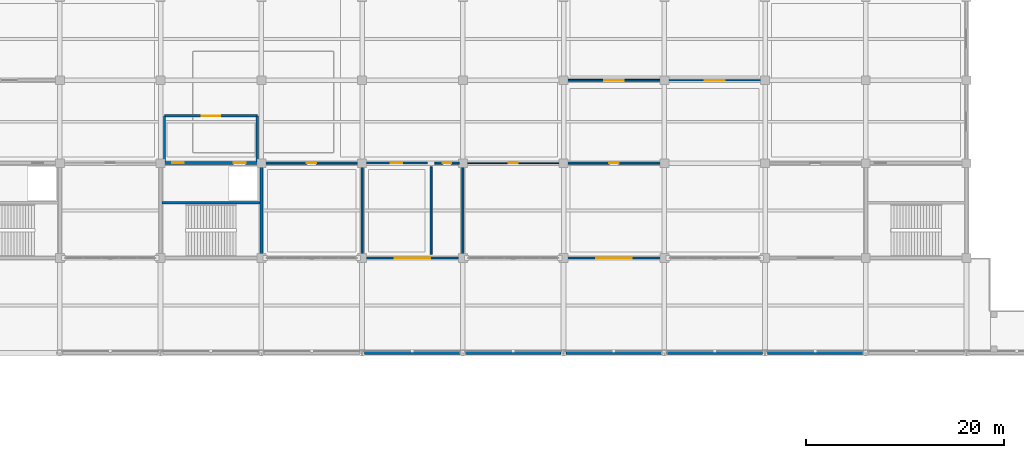
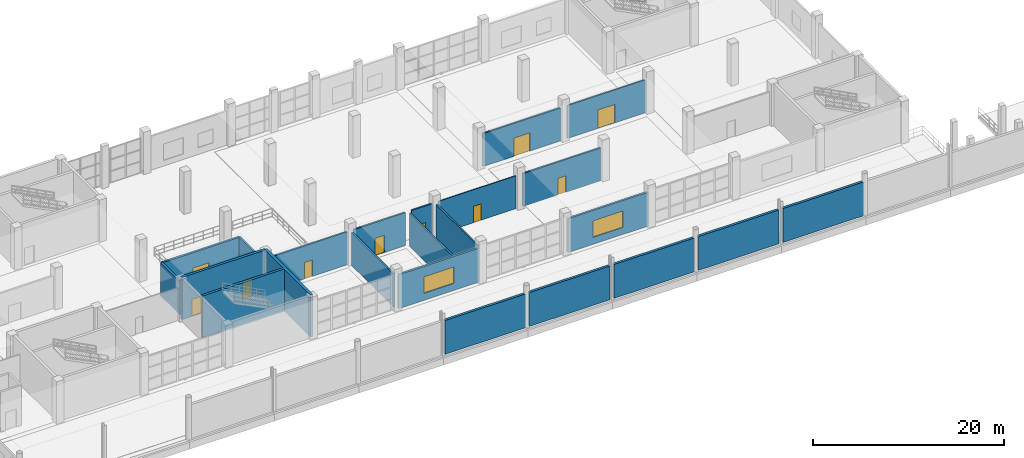
# One storey, part 131 of 175: 23 walls, 10 doors, 2 windows, 12 openings.
"""IFC4 building model written with IfcOpenShell, lengths in metres."""

from ifc_helpers import new_model, si_unit, direction, frame, frame_2d, origin, place, context, subcontext, project, spatial, rectangle, extrude, material, layer, layer_set, type_object, element, fill, save


model = new_model("IFC4")

# Units and contexts
model_context = context("Model", 3, precision=1e-05, world=origin(), true_north=direction((0.0, 1.0)))
body_context = subcontext(model_context, "Body", "Model", "MODEL_VIEW")
ifc_project = project(units=[si_unit("LENGTHUNIT", "METRE"), si_unit("AREAUNIT", "SQUARE_METRE"), si_unit("VOLUMEUNIT", "CUBIC_METRE"), si_unit("PLANEANGLEUNIT", "RADIAN"), si_unit("MASSUNIT", "GRAM", prefix="KILO")], contexts=[model_context])

# Site, building, storey
site_placement = place(None, origin())
site = spatial("IfcSite", under=ifc_project, at=site_placement, CompositionType="ELEMENT")
building_placement = place(site_placement, origin())
building = spatial("IfcBuilding", under=site, at=building_placement, Name="Brelvane Convention Centre", CompositionType="ELEMENT")
storey_placement = place(building_placement, frame((0.0, 0.0, 5.39990234375)))
storey = spatial("IfcBuildingStorey", under=building, at=storey_placement, Name="L01", CompositionType="ELEMENT", Elevation=5.39990234375)

# Wall, opening, window
ifc_material_1 = material(Name="Insulated Autoclaved Aerated Concrete Block Grade 1", Category="concrete")
ifc_layer_1 = layer(ifc_material_1, 0.239990234375)
ifc_layer_set_1 = layer_set([ifc_layer_1], Name="Insulated Autoclaved Aerated Concrete Block Grade 1")
wall_type_1 = type_object("IfcWallType", Name="Exterior Wall EW-03", PredefinedType="STANDARD", material=ifc_layer_set_1)
wall_1_placement = place(storey_placement, frame((51.239990234375, 109.199951171875, 0.0), z_axis=(0.0, 0.0, 1.0), x_axis=(1.0, 0.0, 0.0)))
wall_1 = element("IfcWall", 1, at=wall_1_placement, inside=storey, type_object=wall_type_1, Name="Exterior Wall L01 V4S-06", PredefinedType="STANDARD", context=body_context, shape_type="SweptSolid", body=[
    extrude(rectangle(XDim=9.719970703125, YDim=0.239990234375, at=frame_2d((4.85986328125, 0.0))), origin(), (0.0, 0.0, 1.0), 4.320068359375),
])
opening_1_placement = place(wall_1_placement, frame((3.06005859375, 0.0, 0.89990234375)))
opening_1 = element("IfcOpeningElement", 2, at=opening_1_placement, cuts=wall_1, Name="Opening WN-03", PredefinedType="OPENING", context=body_context, shape_type="SweptSolid", body=[
    extrude(rectangle(XDim=3.60009765625, YDim=2.10009765625, at=frame_2d((1.800048828125, 1.050048828125))), frame((0.0, 0.1298828125, 0.0), z_axis=(0.0, -1.0, 0.0), x_axis=(1.0, 0.0, 0.0)), (0.0, 0.0, 1.0), 0.260009765625),
])
ifc_material_2 = material(Name="Double Glazed Low-E Laminated Unit")
window_type = type_object("IfcWindowType", Name="Window WN-03", PartitioningType="TRIPLE_PANEL_VERTICAL", PredefinedType="WINDOW", material=ifc_material_2)
window_1_placement = place(opening_1_placement, origin())
window_1 = element("IfcWindow", 3, at=window_1_placement, inside=storey, type_object=window_type, Name="Facade Window L01-V4S-06-019", OverallHeight=2.10009765625, OverallWidth=3.60009765625, PartitioningType="TRIPLE_PANEL_VERTICAL", PredefinedType="WINDOW", context=body_context, shape_type="SweptSolid", body=[
    extrude(rectangle(XDim=3.60009765625, YDim=2.10009765625, at=frame_2d((1.800048828125, 1.050048828125))), frame((0.0, 0.030029296875, 0.0), z_axis=(0.0, -1.0, 0.0), x_axis=(1.0, 0.0, 0.0)), (0.0, 0.0, 1.0), 0.06005859375),
])
fill(opening_1, window_1)

wall_2_placement = place(storey_placement, frame((71.639892578125, 109.199951171875, 0.0), z_axis=(0.0, 0.0, 1.0), x_axis=(1.0, 0.0, 0.0)))
wall_2 = element("IfcWall", 4, at=wall_2_placement, inside=storey, type_object=wall_type_1, Name="Exterior Wall L01 V4S-08", PredefinedType="STANDARD", context=body_context, shape_type="SweptSolid", body=[
    extrude(rectangle(XDim=9.72021484375, YDim=0.239990234375, at=frame_2d((4.860107421875, 0.0))), origin(), (0.0, 0.0, 1.0), 4.320068359375),
])
opening_2_placement = place(wall_2_placement, frame((3.06005859375, 0.0, 0.89990234375)))
opening_2 = element("IfcOpeningElement", 5, at=opening_2_placement, cuts=wall_2, Name="Opening WN-03", PredefinedType="OPENING", context=body_context, shape_type="SweptSolid", body=[
    extrude(rectangle(XDim=3.60009765625, YDim=2.10009765625, at=frame_2d((1.800048828125, 1.050048828125))), frame((0.0, 0.1298828125, 0.0), z_axis=(0.0, -1.0, 0.0), x_axis=(1.0, 0.0, 0.0)), (0.0, 0.0, 1.0), 0.260009765625),
])
window_2_placement = place(opening_2_placement, origin())
window_2 = element("IfcWindow", 6, at=window_2_placement, inside=storey, type_object=window_type, Name="Facade Window L01-V4S-08-022", OverallHeight=2.10009765625, OverallWidth=3.60009765625, PartitioningType="TRIPLE_PANEL_VERTICAL", PredefinedType="WINDOW", context=body_context, shape_type="SweptSolid", body=[
    extrude(rectangle(XDim=3.60009765625, YDim=2.10009765625, at=frame_2d((1.800048828125, 1.050048828125))), frame((0.0, 0.030029296875, 0.0), z_axis=(0.0, -1.0, 0.0), x_axis=(1.0, 0.0, 0.0)), (0.0, 0.0, 1.0), 0.06005859375),
])
fill(opening_2, window_2)

# Walls
ifc_material_3 = material(Name="Concrete M40", Category="concrete")
ifc_layer_2 = layer(ifc_material_3, 0.2900390625)
ifc_layer_set_2 = layer_set([ifc_layer_2], Name="Concrete M40")
wall_type_2 = type_object("IfcWallType", Name="Exterior Wall EW-08", PredefinedType="SOLIDWALL", material=ifc_layer_set_2)
for number, where, z_axis, x_axis, name in (
    (7, (51.239990234375, 99.60009765625, 0.0), (0.0, 0.0, 1.0), (1.0, 0.0, 0.0), "Exterior Wall L01 V1N-L01-06"),
    (8, (61.43994140625, 99.60009765625, 0.0), (0.0, 0.0, 1.0), (1.0, 0.0, 0.0), "Exterior Wall L01 V1N-L01-07"),
):
    element("IfcWall", number, at=place(storey_placement, frame(where, z_axis=z_axis, x_axis=x_axis)), inside=storey, type_object=wall_type_2, Name=name, PredefinedType="SOLIDWALL", context=body_context, shape_type="SweptSolid", body=[
        extrude(rectangle(XDim=9.719970703125, YDim=0.2900390625, at=frame_2d((4.85986328125, 0.0))), origin(), (0.0, 0.0, 1.0), 4.320068359375),
    ])
wall_3_placement = place(storey_placement, frame((71.639892578125, 99.60009765625, 0.0), z_axis=(0.0, 0.0, 1.0), x_axis=(1.0, 0.0, 0.0)))
element("IfcWall", 9, at=wall_3_placement, inside=storey, type_object=wall_type_2, Name="Exterior Wall L01 V1N-L01-08", PredefinedType="SOLIDWALL", context=body_context, shape_type="SweptSolid", body=[
    extrude(rectangle(XDim=9.72021484375, YDim=0.2900390625, at=frame_2d((4.860107421875, 0.0))), origin(), (0.0, 0.0, 1.0), 4.320068359375),
])
for number, where, z_axis, x_axis, name in (
    (10, (81.840087890625, 99.60009765625, 0.0), (0.0, 0.0, 1.0), (1.0, 0.0, 0.0), "Exterior Wall L01 V1N-L01-09"),
    (11, (92.0400390625, 99.60009765625, 0.0), (0.0, 0.0, 1.0), (1.0, 0.0, 0.0), "Exterior Wall L01 V1N-L01-10"),
):
    element("IfcWall", number, at=place(storey_placement, frame(where, z_axis=z_axis, x_axis=x_axis)), inside=storey, type_object=wall_type_2, Name=name, PredefinedType="SOLIDWALL", context=body_context, shape_type="SweptSolid", body=[
        extrude(rectangle(XDim=9.719970703125, YDim=0.2900390625, at=frame_2d((4.85986328125, 0.0))), origin(), (0.0, 0.0, 1.0), 4.320068359375),
    ])

# Wall, opening, door
ifc_material_4 = material(Name="Fire-Rated Acoustic Gypsum Partition Board Grade A")
ifc_layer_3 = layer(ifc_material_4, 0.199951171875)
ifc_layer_set_3 = layer_set([ifc_layer_3], Name="Fire-Rated Acoustic Gypsum Partition Board Grade A")
wall_type_3 = type_object("IfcWallType", Name="Interior Wall IW-FR-200", PredefinedType="PARTITIONING", material=ifc_layer_set_3)
wall_4_placement = place(storey_placement, frame((41.199951171875, 118.800048828125, 0.0), z_axis=(0.0, 0.0, 1.0), x_axis=(1.0, 0.0, 0.0)))
wall_4 = element("IfcWall", 12, at=wall_4_placement, inside=storey, type_object=wall_type_3, Name="Interior Partition L01-WCM1", PredefinedType="PARTITIONING", context=body_context, shape_type="SweptSolid", body=[
    extrude(rectangle(XDim=9.400146484375, YDim=0.199951171875, at=frame_2d((4.7001953125, 0.0))), origin(), (0.0, 0.0, 1.0), 4.2001953125),
])
opening_3_placement = place(wall_4_placement, frame((4.219970703125, 0.0, 0.0)))
opening_3 = element("IfcOpeningElement", 13, at=opening_3_placement, cuts=wall_4, Name="Opening DR-IN-03R", PredefinedType="OPENING", context=body_context, shape_type="SweptSolid", body=[
    extrude(rectangle(XDim=0.9599609375, YDim=2.10009765625, at=frame_2d((0.47998046875, 1.050048828125))), frame((0.0, 0.10986328125, 0.0), z_axis=(0.0, -1.0, 0.0), x_axis=(1.0, 0.0, 0.0)), (0.0, 0.0, 1.0), 0.219970703125),
])
ifc_material_5 = material(Name="Solid-Core Fire-Rated Hardwood Leaf Grade 1", Category="wood")
door_type_1 = type_object("IfcDoorType", Name="Interior Door DR-IN-03R", OperationType="NOTDEFINED", PredefinedType="DOOR", material=ifc_material_5)
door_1_placement = place(opening_3_placement, origin())
door_1 = element("IfcDoor", 14, at=door_1_placement, inside=storey, type_object=door_type_1, Name="Interior Door L01-WCM1 (DR-IN-03R)", OperationType="SINGLE_SWING_RIGHT", OverallHeight=2.10009765625, OverallWidth=0.9599609375, PredefinedType="DOOR", context=body_context, shape_type="SweptSolid", body=[
    extrude(rectangle(XDim=0.9599609375, YDim=2.10009765625, at=frame_2d((0.47998046875, 1.050048828125))), frame((0.0, 0.02490234375, 0.0), z_axis=(0.0, -1.0, 0.0), x_axis=(1.0, 0.0, 0.0)), (0.0, 0.0, 1.0), 0.050048828125),
])
fill(opening_3, door_1)

wall_5_placement = place(storey_placement, frame((51.39990234375, 118.800048828125, 0.0), z_axis=(0.0, 0.0, 1.0), x_axis=(1.0, 0.0, 0.0)))
wall_5 = element("IfcWall", 15, at=wall_5_placement, inside=storey, type_object=wall_type_3, Name="Interior Partition L01-WCF1", PredefinedType="PARTITIONING", context=body_context, shape_type="SweptSolid", body=[
    extrude(rectangle(XDim=6.2001953125, YDim=0.199951171875, at=frame_2d((3.10009765625, 0.0))), origin(), (0.0, 0.0, 1.0), 4.2001953125),
])
opening_4_placement = place(wall_5_placement, frame((2.52001953125, 0.0, 0.0)))
opening_4 = element("IfcOpeningElement", 16, at=opening_4_placement, cuts=wall_5, Name="Opening DR-IN-04L", PredefinedType="OPENING", context=body_context, shape_type="SweptSolid", body=[
    extrude(rectangle(XDim=1.159912109375, YDim=2.199951171875, at=frame_2d((0.580078125, 1.10009765625))), frame((0.0, 0.10986328125, 0.0), z_axis=(0.0, -1.0, 0.0), x_axis=(1.0, 0.0, 0.0)), (0.0, 0.0, 1.0), 0.219970703125),
])
ifc_material_6 = material(Name="Galvanised Hollow-Metal Fire Door Steel E250", Category="steel")
door_type_2 = type_object("IfcDoorType", Name="Interior Door DR-IN-04L", OperationType="NOTDEFINED", PredefinedType="DOOR", material=ifc_material_6)
door_2_placement = place(opening_4_placement, origin())
door_2 = element("IfcDoor", 17, at=door_2_placement, inside=storey, type_object=door_type_2, Name="Interior Door L01-WCF1 (DR-IN-04L)", OperationType="SINGLE_SWING_LEFT", OverallHeight=2.199951171875, OverallWidth=1.159912109375, PredefinedType="DOOR", context=body_context, shape_type="SweptSolid", body=[
    extrude(rectangle(XDim=1.159912109375, YDim=2.199951171875, at=frame_2d((0.580078125, 1.10009765625))), frame((0.0, 0.02490234375, 0.0), z_axis=(0.0, -1.0, 0.0), x_axis=(1.0, 0.0, 0.0)), (0.0, 0.0, 1.0), 0.050048828125),
])
fill(opening_4, door_2)

wall_6_placement = place(storey_placement, frame((71.800048828125, 118.800048828125, 0.0), z_axis=(0.0, 0.0, 1.0), x_axis=(1.0, 0.0, 0.0)))
wall_6 = element("IfcWall", 18, at=wall_6_placement, inside=storey, type_object=wall_type_3, Name="Interior Partition L01-MT204", PredefinedType="PARTITIONING", context=body_context, shape_type="SweptSolid", body=[
    extrude(rectangle(XDim=9.39990234375, YDim=0.199951171875, at=frame_2d((4.699951171875, 0.0))), origin(), (0.0, 0.0, 1.0), 4.2001953125),
])
opening_5_placement = place(wall_6_placement, frame((4.2099609375, 0.0, 0.0)))
opening_5 = element("IfcOpeningElement", 19, at=opening_5_placement, cuts=wall_6, Name="Opening DR-IN-12L", PredefinedType="OPENING", context=body_context, shape_type="SweptSolid", body=[
    extrude(rectangle(XDim=0.97998046875, YDim=2.1201171875, at=frame_2d((0.489990234375, 1.06005859375))), frame((0.0, 0.10986328125, 0.0), z_axis=(0.0, -1.0, 0.0), x_axis=(1.0, 0.0, 0.0)), (0.0, 0.0, 1.0), 0.219970703125),
])
ifc_material_7 = material(Name="Solid-Core Fire-Rated Hardwood Leaf Grade 1", Category="wood")
door_type_3 = type_object("IfcDoorType", Name="Interior Door DR-IN-12L", OperationType="NOTDEFINED", PredefinedType="DOOR", material=ifc_material_7)
door_3_placement = place(opening_5_placement, origin())
door_3 = element("IfcDoor", 20, at=door_3_placement, inside=storey, type_object=door_type_3, Name="Interior Door L01-MT204 (DR-IN-12L)", OperationType="SINGLE_SWING_LEFT", OverallHeight=2.1201171875, OverallWidth=0.97998046875, PredefinedType="DOOR", context=body_context, shape_type="SweptSolid", body=[
    extrude(rectangle(XDim=0.97998046875, YDim=2.1201171875, at=frame_2d((0.489990234375, 1.06005859375))), frame((0.0, 0.02490234375, 0.0), z_axis=(0.0, -1.0, 0.0), x_axis=(1.0, 0.0, 0.0)), (0.0, 0.0, 1.0), 0.050048828125),
])
fill(opening_5, door_3)

wall_7_placement = place(storey_placement, frame((58.360107421875, 118.800048828125, 0.0), z_axis=(0.0, 0.0, 1.0), x_axis=(1.0, 0.0, 0.0)))
wall_7 = element("IfcWall", 21, at=wall_7_placement, inside=storey, type_object=wall_type_3, Name="Interior Partition L01-WC-ACCL1", PredefinedType="PARTITIONING", context=body_context, shape_type="SweptSolid", body=[
    extrude(rectangle(XDim=2.47998046875, YDim=0.199951171875, at=frame_2d((1.239990234375, 0.0))), origin(), (0.0, 0.0, 1.0), 4.2001953125),
])
opening_6_placement = place(wall_7_placement, frame((0.800048828125, 0.0, 0.0)))
opening_6 = element("IfcOpeningElement", 22, at=opening_6_placement, cuts=wall_7, Name="Opening DR-IN-11L", PredefinedType="OPENING", context=body_context, shape_type="SweptSolid", body=[
    extrude(rectangle(XDim=0.8798828125, YDim=2.080078125, at=frame_2d((0.43994140625, 1.0400390625))), frame((0.0, 0.10986328125, 0.0), z_axis=(0.0, -1.0, 0.0), x_axis=(1.0, 0.0, 0.0)), (0.0, 0.0, 1.0), 0.219970703125),
])
ifc_material_8 = material(Name="Solid-Core Fire-Rated Hardwood Leaf Grade 1", Category="wood")
door_type_4 = type_object("IfcDoorType", Name="Interior Door DR-IN-11L", OperationType="NOTDEFINED", PredefinedType="DOOR", material=ifc_material_8)
door_4_placement = place(opening_6_placement, origin())
door_4 = element("IfcDoor", 23, at=door_4_placement, inside=storey, type_object=door_type_4, Name="Interior Door L01-WC-ACCL1 (DR-IN-11L)", OperationType="SINGLE_SWING_LEFT", OverallHeight=2.080078125, OverallWidth=0.8798828125, PredefinedType="DOOR", context=body_context, shape_type="SweptSolid", body=[
    extrude(rectangle(XDim=0.8798828125, YDim=2.080078125, at=frame_2d((0.43994140625, 1.0400390625))), frame((0.0, 0.02490234375, 0.0), z_axis=(0.0, -1.0, 0.0), x_axis=(1.0, 0.0, 0.0)), (0.0, 0.0, 1.0), 0.050048828125),
])
fill(opening_6, door_4)

# Walls
for number, where, z_axis, x_axis, name in (
    (24, (51.0, 109.580078125, 0.0), (0.0, 0.0, 1.0), (0.0, 1.0, 0.0), "Interior Partition L01-WCDIV-L1A"),
    (25, (58.0, 109.580078125, 0.0), (0.0, 0.0, 1.0), (0.0, 1.0, 0.0), "Interior Partition L01-WCDIV-L1B"),
    (26, (61.199951171875, 109.580078125, 0.0), (0.0, 0.0, 1.0), (0.0, 1.0, 0.0), "Interior Partition L01-WCDIV-L1C"),
):
    element("IfcWall", number, at=place(storey_placement, frame(where, z_axis=z_axis, x_axis=x_axis)), inside=storey, type_object=wall_type_3, Name=name, PredefinedType="PARTITIONING", context=body_context, shape_type="SweptSolid", body=[
        extrude(rectangle(XDim=8.83984375, YDim=0.199951171875, at=frame_2d((4.419921875, 0.0))), origin(), (0.0, 0.0, 1.0), 4.2001953125),
    ])

# Wall, opening, door
ifc_material_9 = material(Name="Concrete M40", Category="concrete")
ifc_layer_4 = layer(ifc_material_9, 0.239990234375)
ifc_layer_set_4 = layer_set([ifc_layer_4], Name="Concrete M40")
wall_type_4 = type_object("IfcWallType", Name="Interior Wall IW-FR-240", PredefinedType="PARTITIONING", material=ifc_layer_set_4)
wall_8_placement = place(storey_placement, frame((31.0, 123.60009765625, 0.0), z_axis=(0.0, 0.0, 1.0), x_axis=(1.0, 0.0, 0.0)))
wall_8 = element("IfcWall", 27, at=wall_8_placement, inside=storey, type_object=wall_type_4, Name="Firefighting Lobby C7 Wall N (L01)", PredefinedType="PARTITIONING", context=body_context, shape_type="SweptSolid", body=[
    extrude(rectangle(XDim=9.39990234375, YDim=0.239990234375, at=frame_2d((4.699951171875, 0.0))), origin(), (0.0, 0.0, 1.0), 4.2001953125),
])
opening_7_placement = place(wall_8_placement, frame((3.75, 0.0, 0.0)))
opening_7 = element("IfcOpeningElement", 28, at=opening_7_placement, cuts=wall_8, Name="Opening DR-FL-01", PredefinedType="OPENING", context=body_context, shape_type="SweptSolid", body=[
    extrude(rectangle(XDim=1.89990234375, YDim=2.25, at=frame_2d((0.949951171875, 1.125))), frame((0.0, 0.1298828125, 0.0), z_axis=(0.0, -1.0, 0.0), x_axis=(1.0, 0.0, 0.0)), (0.0, 0.0, 1.0), 0.260009765625),
])
ifc_material_10 = material(Name="Galvanised Hollow-Metal Fire Door Steel E250", Category="steel")
door_type_5 = type_object("IfcDoorType", Name="Interior Door DR-FL-01", OperationType="NOTDEFINED", PredefinedType="DOOR", material=ifc_material_10)
door_5_placement = place(opening_7_placement, origin())
door_5 = element("IfcDoor", 29, at=door_5_placement, inside=storey, type_object=door_type_5, Name="Firefighting Lobby C7 Smoke Door (L01)", OperationType="DOUBLE_DOOR_SINGLE_SWING", OverallHeight=2.25, OverallWidth=1.89990234375, PredefinedType="DOOR", context=body_context, shape_type="SweptSolid", body=[
    extrude(rectangle(XDim=1.89990234375, YDim=2.25, at=frame_2d((0.949951171875, 1.125))), frame((0.0, 0.02490234375, 0.0), z_axis=(0.0, -1.0, 0.0), x_axis=(1.0, 0.0, 0.0)), (0.0, 0.0, 1.0), 0.050048828125),
])
fill(opening_7, door_5)

# Walls
for number, where, z_axis, x_axis, name in (
    (30, (40.39990234375, 119.0, 0.0), (0.0, 0.0, 1.0), (0.0, 1.0, 0.0), "Firefighting Lobby C7 Wall E (L01)"),
    (31, (31.0, 119.0, 0.0), (0.0, 0.0, 1.0), (0.0, 1.0, 0.0), "Firefighting Lobby C7 Wall W (L01)"),
):
    element("IfcWall", number, at=place(storey_placement, frame(where, z_axis=z_axis, x_axis=x_axis)), inside=storey, type_object=wall_type_4, Name=name, PredefinedType="PARTITIONING", context=body_context, shape_type="SweptSolid", body=[
        extrude(rectangle(XDim=4.60009765625, YDim=0.239990234375, at=frame_2d((2.300048828125, 0.0))), origin(), (0.0, 0.0, 1.0), 4.2001953125),
    ])

# Wall, opening, door
ifc_material_11 = material(Name="Acoustic Operable Gypsum Composite Panel Board Class A")
ifc_layer_5 = layer(ifc_material_11, 0.169921875)
ifc_layer_set_5 = layer_set([ifc_layer_5], Name="Acoustic Operable Gypsum Composite Panel Board Class A")
wall_type_5 = type_object("IfcWallType", Name="Interior Wall IW-OP-170", PredefinedType="MOVABLE", material=ifc_layer_set_5)
wall_9_placement = place(storey_placement, frame((82.0, 127.199951171875, 0.0), z_axis=(0.0, 0.0, 1.0), x_axis=(1.0, 0.0, 0.0)))
wall_9 = element("IfcWall", 32, at=wall_9_placement, inside=storey, type_object=wall_type_5, Name="Operable Wall L01-MEET-OP4", PredefinedType="MOVABLE", context=body_context, shape_type="SweptSolid", body=[
    extrude(rectangle(XDim=9.39990234375, YDim=0.169921875, at=frame_2d((4.699951171875, 0.0))), origin(), (0.0, 0.0, 1.0), 4.2001953125),
])
opening_8_placement = place(wall_9_placement, frame((3.675048828125, 0.0, 0.0)))
opening_8 = element("IfcOpeningElement", 33, at=opening_8_placement, cuts=wall_9, Name="Opening DR-IN-21", PredefinedType="OPENING", context=body_context, shape_type="SweptSolid", body=[
    extrude(rectangle(XDim=2.050048828125, YDim=2.360107421875, at=frame_2d((1.02490234375, 1.18017578125))), frame((0.0, 0.094970703125, 0.0), z_axis=(0.0, -1.0, 0.0), x_axis=(1.0, 0.0, 0.0)), (0.0, 0.0, 1.0), 0.18994140625),
])
ifc_material_12 = material(Name="Galvanised Hollow-Metal Fire Door Steel E250", Category="steel")
door_type_6 = type_object("IfcDoorType", Name="Interior Door DR-IN-21", OperationType="NOTDEFINED", PredefinedType="DOOR", material=ifc_material_12)
door_6_placement = place(opening_8_placement, origin())
door_6 = element("IfcDoor", 34, at=door_6_placement, inside=storey, type_object=door_type_6, Name="Interior Door L01-MEET-OP4 (DR-IN-21)", OperationType="DOUBLE_DOOR_SINGLE_SWING", OverallHeight=2.360107421875, OverallWidth=2.050048828125, PredefinedType="DOOR", context=body_context, shape_type="SweptSolid", body=[
    extrude(rectangle(XDim=2.050048828125, YDim=2.360107421875, at=frame_2d((1.02490234375, 1.18017578125))), frame((0.0, 0.02490234375, 0.0), z_axis=(0.0, -1.0, 0.0), x_axis=(1.0, 0.0, 0.0)), (0.0, 0.0, 1.0), 0.050048828125),
])
fill(opening_8, door_6)

ifc_material_13 = material(Name="Acoustic Operable Gypsum Composite Panel Board Class A")
ifc_layer_6 = layer(ifc_material_13, 0.195068359375)
ifc_layer_set_6 = layer_set([ifc_layer_6], Name="Acoustic Operable Gypsum Composite Panel Board Class A")
wall_type_6 = type_object("IfcWallType", Name="Interior Wall IW-OP-195", PredefinedType="MOVABLE", material=ifc_layer_set_6)
wall_10_placement = place(storey_placement, frame((71.800048828125, 127.199951171875, 0.0), z_axis=(0.0, 0.0, 1.0), x_axis=(1.0, 0.0, 0.0)))
wall_10 = element("IfcWall", 35, at=wall_10_placement, inside=storey, type_object=wall_type_6, Name="Operable Wall L01-MEET-OP3", PredefinedType="MOVABLE", context=body_context, shape_type="SweptSolid", body=[
    extrude(rectangle(XDim=9.39990234375, YDim=0.195068359375, at=frame_2d((4.699951171875, 0.0))), origin(), (0.0, 0.0, 1.0), 4.2001953125),
])
opening_9_placement = place(wall_10_placement, frame((3.72509765625, 0.0, 0.0)))
opening_9 = element("IfcOpeningElement", 36, at=opening_9_placement, cuts=wall_10, Name="Opening DR-IN-20", PredefinedType="OPENING", context=body_context, shape_type="SweptSolid", body=[
    extrude(rectangle(XDim=1.949951171875, YDim=2.340087890625, at=frame_2d((0.97509765625, 1.169921875))), frame((0.0, 0.107421875, 0.0), z_axis=(0.0, -1.0, 0.0), x_axis=(1.0, 0.0, 0.0)), (0.0, 0.0, 1.0), 0.215087890625),
])
ifc_material_14 = material(Name="Solid-Core Fire-Rated Hardwood Leaf Grade 1", Category="wood")
door_type_7 = type_object("IfcDoorType", Name="Interior Door DR-IN-20", OperationType="NOTDEFINED", PredefinedType="DOOR", material=ifc_material_14)
door_7_placement = place(opening_9_placement, origin())
door_7 = element("IfcDoor", 37, at=door_7_placement, inside=storey, type_object=door_type_7, Name="Interior Door L01-MEET-OP3 (DR-IN-20)", OperationType="DOUBLE_DOOR_SINGLE_SWING", OverallHeight=2.340087890625, OverallWidth=1.949951171875, PredefinedType="DOOR", context=body_context, shape_type="SweptSolid", body=[
    extrude(rectangle(XDim=1.949951171875, YDim=2.340087890625, at=frame_2d((0.97509765625, 1.169921875))), frame((0.0, 0.02490234375, 0.0), z_axis=(0.0, -1.0, 0.0), x_axis=(1.0, 0.0, 0.0)), (0.0, 0.0, 1.0), 0.050048828125),
])
fill(opening_9, door_7)

ifc_material_15 = material(Name="Fire-Rated Acoustic Gypsum Partition Board Grade A")
ifc_layer_7 = layer(ifc_material_15, 0.10498046875)
ifc_layer_set_7 = layer_set([ifc_layer_7], Name="Fire-Rated Acoustic Gypsum Partition Board Grade A")
wall_type_7 = type_object("IfcWallType", Name="Interior Wall IW-PT-105", PredefinedType="PARTITIONING", material=ifc_layer_set_7)
wall_11_placement = place(storey_placement, frame((61.60009765625, 118.800048828125, 0.0), z_axis=(0.0, 0.0, 1.0), x_axis=(1.0, 0.0, 0.0)))
wall_11 = element("IfcWall", 38, at=wall_11_placement, inside=storey, type_object=wall_type_7, Name="Interior Partition L01-MT203", PredefinedType="PARTITIONING", context=body_context, shape_type="SweptSolid", body=[
    extrude(rectangle(XDim=9.39990234375, YDim=0.10498046875, at=frame_2d((4.699951171875, 0.0))), origin(), (0.0, 0.0, 1.0), 4.2001953125),
])
opening_10_placement = place(wall_11_placement, frame((4.22998046875, 0.0, 0.0)))
opening_10 = element("IfcOpeningElement", 39, at=opening_10_placement, cuts=wall_11, Name="Opening DR-IN-11R", PredefinedType="OPENING", context=body_context, shape_type="SweptSolid", body=[
    extrude(rectangle(XDim=0.93994140625, YDim=2.080078125, at=frame_2d((0.469970703125, 1.0400390625))), frame((0.0, 0.0625, 0.0), z_axis=(0.0, -1.0, 0.0), x_axis=(1.0, 0.0, 0.0)), (0.0, 0.0, 1.0), 0.125),
])
ifc_material_16 = material(Name="Solid-Core Fire-Rated Hardwood Leaf Grade 1", Category="wood")
door_type_8 = type_object("IfcDoorType", Name="Interior Door DR-IN-11R", OperationType="NOTDEFINED", PredefinedType="DOOR", material=ifc_material_16)
door_8_placement = place(opening_10_placement, origin())
door_8 = element("IfcDoor", 40, at=door_8_placement, inside=storey, type_object=door_type_8, Name="Interior Door L01-MT203 (DR-IN-11R)", OperationType="SINGLE_SWING_RIGHT", OverallHeight=2.080078125, OverallWidth=0.93994140625, PredefinedType="DOOR", context=body_context, shape_type="SweptSolid", body=[
    extrude(rectangle(XDim=0.93994140625, YDim=2.080078125, at=frame_2d((0.469970703125, 1.0400390625))), frame((0.0, 0.02490234375, 0.0), z_axis=(0.0, -1.0, 0.0), x_axis=(1.0, 0.0, 0.0)), (0.0, 0.0, 1.0), 0.050048828125),
])
fill(opening_10, door_8)

# Wall, openings, doors
ifc_material_17 = material(Name="Concrete M50", Category="concrete")
ifc_layer_8 = layer(ifc_material_17, 0.300048828125)
ifc_layer_set_8 = layer_set([ifc_layer_8], Name="Concrete M50")
wall_type_8 = type_object("IfcWallType", Name="Structural Wall WL-CORE-300", PredefinedType="SHEAR", material=ifc_layer_set_8)
wall_12_placement = place(storey_placement, frame((30.60009765625, 118.800048828125, 0.0), z_axis=(0.0, 0.0, 1.0), x_axis=(1.0, 0.0, 0.0)))
wall_12 = element("IfcWall", 41, at=wall_12_placement, inside=storey, type_object=wall_type_8, Name="Core C7 Shear Wall N (L01)", PredefinedType="SHEAR", context=body_context, shape_type="SweptSolid", body=[
    extrude(rectangle(XDim=10.199951171875, YDim=0.300048828125, at=frame_2d((5.10009765625, 0.0))), origin(), (0.0, 0.0, 1.0), 5.400146484375),
])
opening_11_placement = place(wall_12_placement, frame((1.199951171875, 0.0, 0.0)))
opening_11 = element("IfcOpeningElement", 42, at=opening_11_placement, cuts=wall_12, Name="Opening DR-IN-04L", PredefinedType="OPENING", context=body_context, shape_type="SweptSolid", body=[
    extrude(rectangle(XDim=1.159912109375, YDim=2.199951171875, at=frame_2d((0.580078125, 1.10009765625))), frame((0.0, 0.159912109375, 0.0), z_axis=(0.0, -1.0, 0.0), x_axis=(1.0, 0.0, 0.0)), (0.0, 0.0, 1.0), 0.320068359375),
])
opening_12_placement = place(wall_12_placement, frame((7.39990234375, 0.0, 0.0)))
opening_12 = element("IfcOpeningElement", 43, at=opening_12_placement, cuts=wall_12, Name="Opening LD-01", PredefinedType="OPENING", context=body_context, shape_type="SweptSolid", body=[
    extrude(rectangle(XDim=1.199951171875, YDim=2.25, at=frame_2d((0.60009765625, 1.125))), frame((0.0, 0.159912109375, 0.0), z_axis=(0.0, -1.0, 0.0), x_axis=(1.0, 0.0, 0.0)), (0.0, 0.0, 1.0), 0.320068359375),
])
door_9_placement = place(opening_11_placement, origin())
door_9 = element("IfcDoor", 44, at=door_9_placement, inside=storey, type_object=door_type_2, Name="Stair ST-07 Door (L01)", OperationType="SINGLE_SWING_LEFT", OverallHeight=2.199951171875, OverallWidth=1.159912109375, PredefinedType="DOOR", context=body_context, shape_type="SweptSolid", body=[
    extrude(rectangle(XDim=1.159912109375, YDim=2.199951171875, at=frame_2d((0.580078125, 1.10009765625))), frame((0.0, 0.02490234375, 0.0), z_axis=(0.0, -1.0, 0.0), x_axis=(1.0, 0.0, 0.0)), (0.0, 0.0, 1.0), 0.050048828125),
])
fill(opening_11, door_9)
ifc_material_18 = material(Name="Galvanised Hollow-Metal Fire Door Steel E250", Category="steel")
door_type_9 = type_object("IfcDoorType", Name="Interior Door LD-01", OperationType="NOTDEFINED", PredefinedType="DOOR", material=ifc_material_18)
door_10_placement = place(opening_12_placement, origin())
door_10 = element("IfcDoor", 45, at=door_10_placement, inside=storey, type_object=door_type_9, Name="Lift LF-04 Landing Door (L01)", OperationType="SLIDING_TO_LEFT", OverallHeight=2.25, OverallWidth=1.199951171875, PredefinedType="DOOR", context=body_context, shape_type="SweptSolid", body=[
    extrude(rectangle(XDim=1.199951171875, YDim=2.25, at=frame_2d((0.60009765625, 1.125))), frame((0.0, 0.02490234375, 0.0), z_axis=(0.0, -1.0, 0.0), x_axis=(1.0, 0.0, 0.0)), (0.0, 0.0, 1.0), 0.050048828125),
])
fill(opening_12, door_10)

# Walls
wall_13_placement = place(storey_placement, frame((40.800048828125, 109.199951171875, 0.0), z_axis=(0.0, 0.0, 1.0), x_axis=(0.0, 1.0, 0.0)))
element("IfcWall", 46, at=wall_13_placement, inside=storey, type_object=wall_type_8, Name="Core C7 Shear Wall E (L01)", PredefinedType="SHEAR", context=body_context, shape_type="SweptSolid", body=[
    extrude(rectangle(XDim=9.60009765625, YDim=0.300048828125, at=frame_2d((4.800048828125, 0.0))), origin(), (0.0, 0.0, 1.0), 5.400146484375),
])
wall_14_placement = place(storey_placement, frame((30.75, 114.800048828125, 0.0), z_axis=(0.0, 0.0, 1.0), x_axis=(1.0, 0.0, 0.0)))
element("IfcWall", 47, at=wall_14_placement, inside=storey, type_object=wall_type_8, Name="Core C7 Shaft Divider Wall (L01)", PredefinedType="SHEAR", context=body_context, shape_type="SweptSolid", body=[
    extrude(rectangle(XDim=9.89990234375, YDim=0.300048828125, at=frame_2d((4.949951171875, 0.0))), origin(), (0.0, 0.0, 1.0), 5.400146484375),
])

save(model, "model.ifc")
